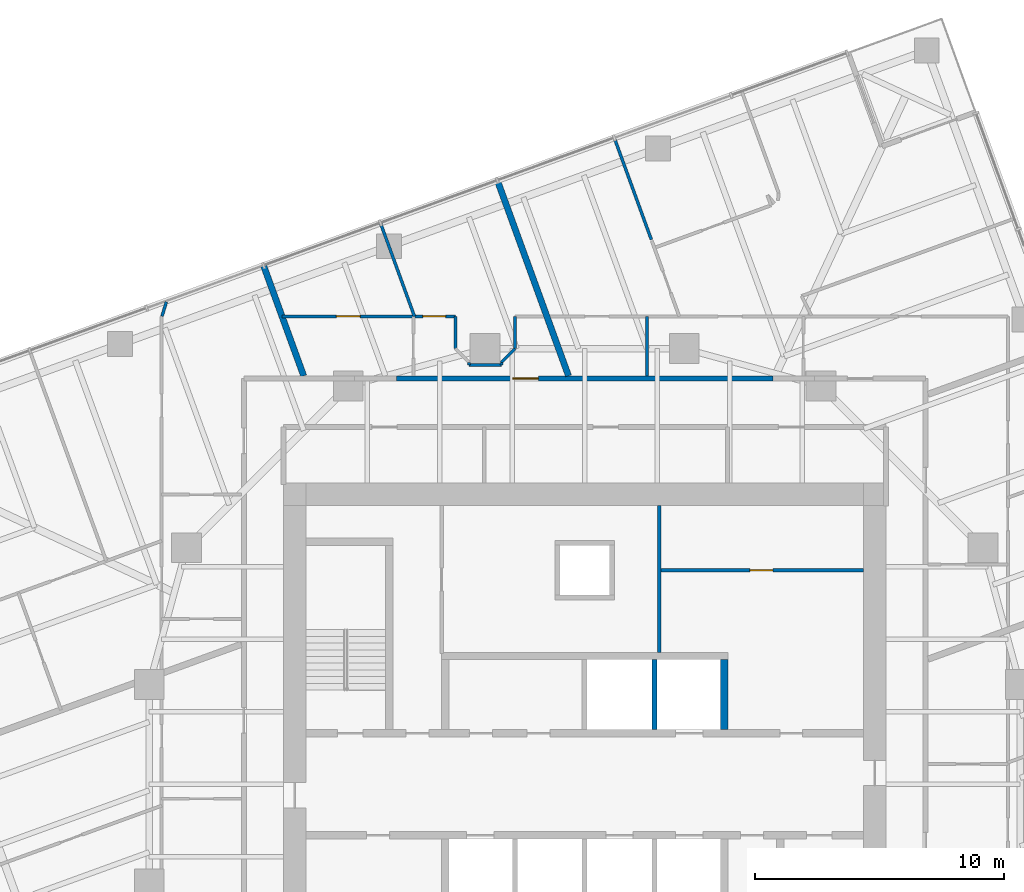
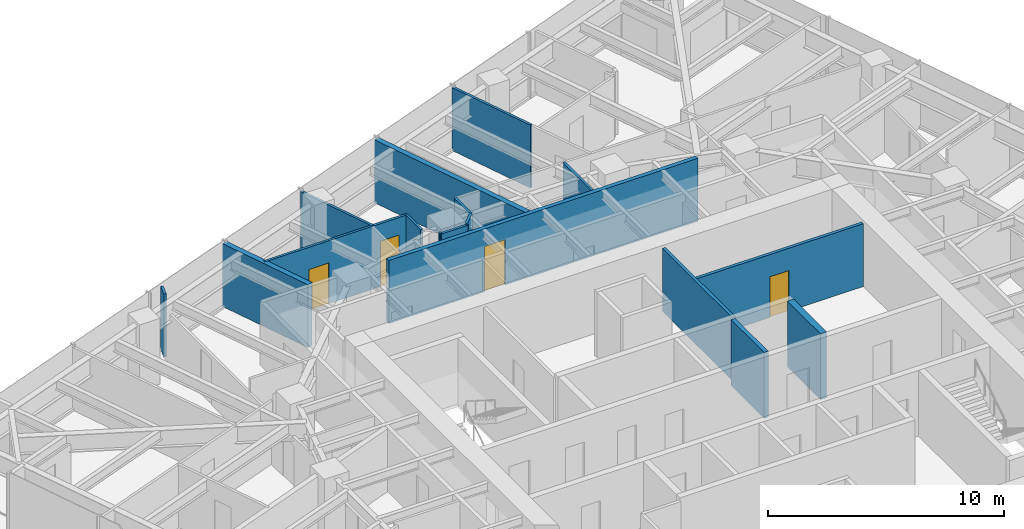
# One storey, part 11 of 13: 18 walls, 4 doors, 4 openings.
"""IFC4 building model written with IfcOpenShell, lengths in metres."""

from ifc_helpers import new_model, si_unit, direction, frame, frame_2d, origin, place, context, subcontext, project, spatial, rectangle, extrude, material, layer, layer_set, type_object, element, fill, save


model = new_model("IFC4")

# Units and contexts
model_context = context("Model", 3, precision=1e-05, world=origin(), true_north=direction((0.0, 1.0)))
body_context = subcontext(model_context, "Body", "Model", "MODEL_VIEW")
ifc_project = project(units=[si_unit("LENGTHUNIT", "METRE"), si_unit("AREAUNIT", "SQUARE_METRE"), si_unit("VOLUMEUNIT", "CUBIC_METRE"), si_unit("PLANEANGLEUNIT", "RADIAN"), si_unit("MASSUNIT", "GRAM", prefix="KILO")], contexts=[model_context])

# Site, building, storey
site_placement = place(None, origin())
site = spatial("IfcSite", under=ifc_project, at=site_placement, CompositionType="ELEMENT")
building_placement = place(site_placement, origin())
building = spatial("IfcBuilding", under=site, at=building_placement, Name="Torsade Residences", CompositionType="ELEMENT")
storey_placement = place(building_placement, frame((0.0, 0.0, 143.800048828125)))
storey = spatial("IfcBuildingStorey", under=building, at=storey_placement, Name="L39", CompositionType="ELEMENT", Elevation=143.800048828125)

# Wall
ifc_material_1 = material(Name="Concrete 80 MPa", Category="concrete")
ifc_layer_1 = layer(ifc_material_1, 0.300048828125)
ifc_layer_set_1 = layer_set([ifc_layer_1], Name="Concrete 80 MPa")
wall_type_1 = type_object("IfcWallType", Name="CORE INTERNAL WALL 300", PredefinedType="SHEAR", material=ifc_layer_set_1)
wall_1_placement = place(storey_placement, frame((45.60009765625, 32.199951171875, 0.0), z_axis=(0.0, 0.0, 1.0), x_axis=(0.0, 1.0, 0.0)))
element("IfcWall", 1, at=wall_1_placement, inside=storey, type_object=wall_type_1, Name="Core wall DN4 L39", PredefinedType="SHEAR", context=body_context, shape_type="SweptSolid", body=[
    extrude(rectangle(XDim=2.800048828125, YDim=0.300048828125, at=frame_2d((1.39990234375, 0.0))), origin(), (0.0, 0.0, 1.0), 3.39990234375),
])

# Wall, opening, door
ifc_material_2 = material(Name="Plasterboard on steel stud", Category="steel")
ifc_layer_2 = layer(ifc_material_2, 0.199951171875)
ifc_layer_set_2 = layer_set([ifc_layer_2], Name="Plasterboard on steel stud")
wall_type_2 = type_object("IfcWallType", Name="CORRIDOR WALL 200", PredefinedType="PARTITIONING", material=ifc_layer_set_2)
wall_2_placement = place(storey_placement, frame((47.558349609375, 46.300048828125, 0.0), z_axis=(0.0, 0.0, 1.0), x_axis=(-1.0, 0.0, 0.0)))
wall_2 = element("IfcWall", 2, at=wall_2_placement, inside=storey, type_object=wall_type_2, Name="Corridor wall L39", PredefinedType="PARTITIONING", context=body_context, shape_type="SweptSolid", body=[
    extrude(rectangle(XDim=15.11669921875, YDim=0.199951171875, at=frame_2d((7.558349609375, 0.0))), origin(), (0.0, 0.0, 1.0), 3.25),
])
opening_1_placement = place(wall_2_placement, frame((9.42236328125, 0.0, 0.0)))
opening_1 = element("IfcOpeningElement", 3, at=opening_1_placement, cuts=wall_2, Name="Opening D01", PredefinedType="OPENING", context=body_context, shape_type="SweptSolid", body=[
    extrude(rectangle(XDim=1.02001953125, YDim=2.340087890625, at=frame_2d((0.510009765625, 1.169921875))), frame((0.0, 0.10986328125, 0.0), z_axis=(0.0, -1.0, 0.0), x_axis=(1.0, 0.0, 0.0)), (0.0, 0.0, 1.0), 0.219970703125),
])
ifc_material_3 = material(Name="Solid-core timber fire door", Category="wood")
door_type_1 = type_object("IfcDoorType", Name="APARTMENT ENTRY DOOR 1020x2340", OperationType="NOTDEFINED", PredefinedType="DOOR", material=ifc_material_3)
door_1_placement = place(opening_1_placement, origin())
door_1 = element("IfcDoor", 4, at=door_1_placement, inside=storey, type_object=door_type_1, Name="Door Residential corridor to Kitchen and dining", OperationType="SINGLE_SWING_RIGHT", OverallHeight=2.340087890625, OverallWidth=1.02001953125, PredefinedType="DOOR", context=body_context, shape_type="SweptSolid", body=[
    extrude(rectangle(XDim=1.02001953125, YDim=2.340087890625, at=frame_2d((0.510009765625, 1.169921875))), frame((0.0, 0.02490234375, 0.0), z_axis=(0.0, -1.0, 0.0), x_axis=(1.0, 0.0, 0.0)), (0.0, 0.0, 1.0), 0.050048828125),
])
fill(opening_1, door_1)

# Walls
ifc_material_4 = material(Name="Reinforced blockwork", Category="masonry")
ifc_layer_3 = layer(ifc_material_4, 0.199951171875)
ifc_layer_set_3 = layer_set([ifc_layer_3], Name="Reinforced blockwork")
wall_type_3 = type_object("IfcWallType", Name="LIFT SHAFT DIVIDING WALL 200", PredefinedType="SOLIDWALL", material=ifc_layer_set_3)
wall_3_placement = place(storey_placement, frame((42.800048828125, 32.199951171875, 0.0), z_axis=(0.0, 0.0, 1.0), x_axis=(0.0, 1.0, 0.0)))
element("IfcWall", 5, at=wall_3_placement, inside=storey, type_object=wall_type_3, Name="Core wall DN3 L39", PredefinedType="SOLIDWALL", context=body_context, shape_type="SweptSolid", body=[
    extrude(rectangle(XDim=2.800048828125, YDim=0.199951171875, at=frame_2d((1.39990234375, 0.0))), origin(), (0.0, 0.0, 1.0), 3.39990234375),
])
ifc_material_5 = material(Name="Plasterboard on steel stud", Category="steel")
ifc_layer_4 = layer(ifc_material_5, 0.1201171875)
ifc_layer_set_4 = layer_set([ifc_layer_4], Name="Plasterboard on steel stud")
wall_type_4 = type_object("IfcWallType", Name="PARTITION 120", PredefinedType="PARTITIONING", material=ifc_layer_set_4)
wall_4_placement = place(storey_placement, frame((42.501220703125, 46.39990234375, 0.0), z_axis=(0.0, 0.0, 1.0), x_axis=(0.0, 1.0, 0.0)))
element("IfcWall", 6, at=wall_4_placement, inside=storey, type_object=wall_type_4, Name="Partition L39", PredefinedType="PARTITIONING", context=body_context, shape_type="SweptSolid", body=[
    extrude(rectangle(XDim=2.400146484375, YDim=0.1201171875, at=frame_2d((1.2001953125, 0.0))), origin(), (0.0, 0.0, 1.0), 3.25),
])
wall_5_placement = place(storey_placement, frame((41.2021484375, 55.935302734375, 0.0), z_axis=(0.0, 0.0, 1.0), x_axis=(0.341992887332, -0.939702540709, 0.0)))
element("IfcWall", 7, at=wall_5_placement, inside=storey, type_object=wall_type_4, Name="Partition L39", PredefinedType="PARTITIONING", context=body_context, shape_type="SweptSolid", body=[
    extrude(rectangle(XDim=4.3154296875, YDim=0.1201171875, at=frame_2d((2.15771484375, 0.0))), origin(), (0.0, 0.0, 1.0), 3.25),
])

# Wall, openings, doors
wall_6_placement = place(storey_placement, frame((27.83642578125, 48.800048828125, 0.0), z_axis=(0.0, 0.0, 1.0), x_axis=(1.0, 0.0, 0.0)))
wall_6 = element("IfcWall", 8, at=wall_6_placement, inside=storey, type_object=wall_type_4, Name="Partition L39", PredefinedType="PARTITIONING", context=body_context, shape_type="SweptSolid", body=[
    extrude(rectangle(XDim=6.963623046875, YDim=0.1201171875, at=frame_2d((3.48193359375, 0.0))), origin(), (0.0, 0.0, 1.0), 3.25),
])
opening_2_placement = place(wall_6_placement, frame((5.6591796875, 0.0, 0.0)))
opening_2 = element("IfcOpeningElement", 9, at=opening_2_placement, cuts=wall_6, Name="Opening D02", PredefinedType="OPENING", context=body_context, shape_type="SweptSolid", body=[
    extrude(rectangle(XDim=0.919921875, YDim=2.340087890625, at=frame_2d((0.4599609375, 1.169921875))), frame((0.0, 0.070068359375, 0.0), z_axis=(0.0, -1.0, 0.0), x_axis=(1.0, 0.0, 0.0)), (0.0, 0.0, 1.0), 0.14013671875),
])
opening_3_placement = place(wall_6_placement, frame((2.180419921875, 0.0, 0.0)))
opening_3 = element("IfcOpeningElement", 10, at=opening_3_placement, cuts=wall_6, Name="Opening D05", PredefinedType="OPENING", context=body_context, shape_type="SweptSolid", body=[
    extrude(rectangle(XDim=0.9599609375, YDim=2.10009765625, at=frame_2d((0.47998046875, 1.050048828125))), frame((0.0, 0.070068359375, 0.0), z_axis=(0.0, -1.0, 0.0), x_axis=(1.0, 0.0, 0.0)), (0.0, 0.0, 1.0), 0.14013671875),
])
ifc_material_6 = material(Name="Hollow-core timber door in a steel cavity frame", Category="steel")
door_type_2 = type_object("IfcDoorType", Name="BATHROOM CAVITY SLIDING DOOR 960", OperationType="SLIDING_TO_LEFT", PredefinedType="DOOR", material=ifc_material_6)
door_2_placement = place(opening_3_placement, origin())
door_2 = element("IfcDoor", 11, at=door_2_placement, inside=storey, type_object=door_type_2, Name="Door Bathroom to Bedroom 1", OperationType="SLIDING_TO_LEFT", OverallHeight=2.10009765625, OverallWidth=0.9599609375, PredefinedType="DOOR", context=body_context, shape_type="SweptSolid", body=[
    extrude(rectangle(XDim=0.9599609375, YDim=2.10009765625, at=frame_2d((0.47998046875, 1.050048828125))), frame((0.0, 0.02490234375, 0.0), z_axis=(0.0, -1.0, 0.0), x_axis=(1.0, 0.0, 0.0)), (0.0, 0.0, 1.0), 0.050048828125),
])
fill(opening_3, door_2)
ifc_material_7 = material(Name="Hollow-core timber door", Category="wood")
door_type_3 = type_object("IfcDoorType", Name="INTERNAL DOOR 920x2340", OperationType="NOTDEFINED", PredefinedType="DOOR", material=ifc_material_7)
door_3_placement = place(opening_2_placement, origin())
door_3 = element("IfcDoor", 12, at=door_3_placement, inside=storey, type_object=door_type_3, Name="Door Kitchen and dining to Living room", OperationType="SINGLE_SWING_LEFT", OverallHeight=2.340087890625, OverallWidth=0.919921875, PredefinedType="DOOR", context=body_context, shape_type="SweptSolid", body=[
    extrude(rectangle(XDim=0.919921875, YDim=2.340087890625, at=frame_2d((0.4599609375, 1.169921875))), frame((0.0, 0.02490234375, 0.0), z_axis=(0.0, -1.0, 0.0), x_axis=(1.0, 0.0, 0.0)), (0.0, 0.0, 1.0), 0.050048828125),
])
fill(opening_2, door_3)

# Walls
wall_7_placement = place(storey_placement, frame((34.800048828125, 48.800048828125, 0.0), z_axis=(0.0, 0.0, 1.0), x_axis=(0.0, -1.0, 0.0)))
element("IfcWall", 13, at=wall_7_placement, inside=storey, type_object=wall_type_4, Name="Partition L39", PredefinedType="PARTITIONING", context=body_context, shape_type="SweptSolid", body=[
    extrude(rectangle(XDim=1.300048828125, YDim=0.1201171875, at=frame_2d((0.64990234375, 0.0))), origin(), (0.0, 0.0, 1.0), 3.25),
])
wall_8_placement = place(storey_placement, frame((35.35009765625, 46.85009765625, 0.0), z_axis=(0.0, 0.0, 1.0), x_axis=(1.0, 0.0, 0.0)))
element("IfcWall", 14, at=wall_8_placement, inside=storey, type_object=wall_type_4, Name="Partition L39", PredefinedType="PARTITIONING", context=body_context, shape_type="SweptSolid", body=[
    extrude(rectangle(XDim=1.2998046875, YDim=0.1201171875, at=frame_2d((0.64990234375, 0.0))), origin(), (0.0, 0.0, 1.0), 3.25),
])
wall_9_placement = place(storey_placement, frame((36.64990234375, 46.949951171875, 0.0), z_axis=(0.0, 0.0, 1.0), x_axis=(0.707106781187, 0.707106781187, 0.0)))
element("IfcWall", 15, at=wall_9_placement, inside=storey, type_object=wall_type_4, Name="Partition L39", PredefinedType="PARTITIONING", context=body_context, shape_type="SweptSolid", body=[
    extrude(rectangle(XDim=0.77783203125, YDim=0.1201171875, at=frame_2d((0.388916015625, 0.0))), origin(), (0.0, 0.0, 1.0), 3.25),
])
wall_10_placement = place(storey_placement, frame((37.199951171875, 47.5, 0.0), z_axis=(0.0, 0.0, 1.0), x_axis=(0.0, 1.0, 0.0)))
element("IfcWall", 16, at=wall_10_placement, inside=storey, type_object=wall_type_4, Name="Partition L39", PredefinedType="PARTITIONING", context=body_context, shape_type="SweptSolid", body=[
    extrude(rectangle(XDim=1.300048828125, YDim=0.1201171875, at=frame_2d((0.64990234375, 0.0))), origin(), (0.0, 0.0, 1.0), 3.25),
])
wall_11_placement = place(storey_placement, frame((33.1572265625, 48.800048828125, 0.0), z_axis=(0.0, 0.0, 1.0), x_axis=(-0.341990966768, 0.939703239672, 0.0)))
element("IfcWall", 17, at=wall_11_placement, inside=storey, type_object=wall_type_4, Name="Partition L39", PredefinedType="PARTITIONING", context=body_context, shape_type="SweptSolid", body=[
    extrude(rectangle(XDim=3.953369140625, YDim=0.1201171875, at=frame_2d((1.9765625, 0.0))), origin(), (0.0, 0.0, 1.0), 3.25),
])
wall_12_placement = place(storey_placement, frame((23.013427734375, 48.800048828125, 0.0), z_axis=(0.0, 0.0, 1.0), x_axis=(0.290455219909, 0.956888585588, 0.0)))
element("IfcWall", 18, at=wall_12_placement, inside=storey, type_object=wall_type_4, Name="Partition L39", PredefinedType="PARTITIONING", context=body_context, shape_type="SweptSolid", body=[
    extrude(rectangle(XDim=0.605224609375, YDim=0.1201171875, at=frame_2d((0.302734375, 0.0))), origin(), (0.0, 0.0, 1.0), 3.25),
])
for number, where, z_axis, x_axis, name in (
    (19, (35.35009765625, 46.85009765625, 0.0), (0.0, 0.0, 1.0), (0.0, 1.0, 0.0), "Partition L39"),
    (20, (36.64990234375, 46.85009765625, 0.0), (0.0, 0.0, 1.0), (0.0, 1.0, 0.0), "Partition L39"),
):
    element("IfcWall", number, at=place(storey_placement, frame(where, z_axis=z_axis, x_axis=x_axis)), inside=storey, type_object=wall_type_4, Name=name, PredefinedType="PARTITIONING", context=body_context, shape_type="SweptSolid", body=[
        extrude(rectangle(XDim=0.099853515625, YDim=0.1201171875, at=frame_2d((0.0498046875, 0.0))), origin(), (0.0, 0.0, 1.0), 3.25),
    ])
ifc_material_8 = material(Name="Masonry-lined stud party wall", Category="masonry")
ifc_layer_5 = layer(ifc_material_8, 0.25)
ifc_layer_set_5 = layer_set([ifc_layer_5], Name="Masonry-lined stud party wall")
wall_type_5 = type_object("IfcWallType", Name="PARTY WALL 250", PredefinedType="PARTITIONING", material=ifc_layer_set_5)
wall_13_placement = place(storey_placement, frame((36.489990234375, 54.2626953125, 0.0), z_axis=(0.0, 0.0, 1.0), x_axis=(0.342019678743, -0.93969278988, 0.0)))
element("IfcWall", 21, at=wall_13_placement, inside=storey, type_object=wall_type_5, Name="Party wall L39", PredefinedType="PARTITIONING", context=body_context, shape_type="SweptSolid", body=[
    extrude(rectangle(XDim=8.361572265625, YDim=0.25, at=frame_2d((4.1806640625, 0.0))), origin(), (0.0, 0.0, 1.0), 3.25),
])
wall_14_placement = place(storey_placement, frame((27.093017578125, 50.842529296875, 0.0), z_axis=(0.0, 0.0, 1.0), x_axis=(0.342012883883, -0.939695262975, 0.0)))
element("IfcWall", 22, at=wall_14_placement, inside=storey, type_object=wall_type_5, Name="Party wall L39", PredefinedType="PARTITIONING", context=body_context, shape_type="SweptSolid", body=[
    extrude(rectangle(XDim=4.721923828125, YDim=0.25, at=frame_2d((2.36083984375, 0.0))), origin(), (0.0, 0.0, 1.0), 3.25),
])
ifc_material_9 = material(Name="Reinforced blockwork", Category="masonry")
ifc_layer_6 = layer(ifc_material_9, 0.14990234375)
ifc_layer_set_6 = layer_set([ifc_layer_6], Name="Reinforced blockwork")
wall_type_6 = type_object("IfcWallType", Name="SERVICE ROOM WALL 150", PredefinedType="SOLIDWALL", material=ifc_layer_set_6)
wall_15_placement = place(storey_placement, frame((43.0, 41.199951171875, 0.0), z_axis=(0.0, 0.0, 1.0), x_axis=(0.0, -1.0, 0.0)))
element("IfcWall", 23, at=wall_15_placement, inside=storey, type_object=wall_type_6, Name="Service room wall L39", PredefinedType="SOLIDWALL", context=body_context, shape_type="SweptSolid", body=[
    extrude(rectangle(XDim=5.89990234375, YDim=0.14990234375, at=frame_2d((2.949951171875, 0.0))), origin(), (0.0, 0.0, 1.0), 3.25),
])

# Wall, opening, door
wall_16_placement = place(storey_placement, frame((43.0, 38.60009765625, 0.0), z_axis=(0.0, 0.0, 1.0), x_axis=(1.0, 0.0, 0.0)))
wall_16 = element("IfcWall", 24, at=wall_16_placement, inside=storey, type_object=wall_type_6, Name="Service room wall L39", PredefinedType="SOLIDWALL", context=body_context, shape_type="SweptSolid", body=[
    extrude(rectangle(XDim=8.199951171875, YDim=0.14990234375, at=frame_2d((4.10009765625, 0.0))), origin(), (0.0, 0.0, 1.0), 3.25),
])
opening_4_placement = place(wall_16_placement, frame((3.639892578125, 0.0, 0.0)))
opening_4 = element("IfcOpeningElement", 25, at=opening_4_placement, cuts=wall_16, Name="Opening D06", PredefinedType="OPENING", context=body_context, shape_type="SweptSolid", body=[
    extrude(rectangle(XDim=0.919921875, YDim=2.10009765625, at=frame_2d((0.4599609375, 1.050048828125))), frame((0.0, 0.0849609375, 0.0), z_axis=(0.0, -1.0, 0.0), x_axis=(1.0, 0.0, 0.0)), (0.0, 0.0, 1.0), 0.169921875),
])
ifc_material_10 = material(Name="Steel-framed fire door", Category="steel")
door_type_4 = type_object("IfcDoorType", Name="FIRE DOOR 920", OperationType="NOTDEFINED", PredefinedType="DOOR", material=ifc_material_10)
door_4_placement = place(opening_4_placement, origin())
door_4 = element("IfcDoor", 26, at=door_4_placement, inside=storey, type_object=door_type_4, Name="Door Refuse room to Bulky waste store", OperationType="SINGLE_SWING_RIGHT", OverallHeight=2.10009765625, OverallWidth=0.919921875, PredefinedType="DOOR", context=body_context, shape_type="SweptSolid", body=[
    extrude(rectangle(XDim=0.919921875, YDim=2.10009765625, at=frame_2d((0.4599609375, 1.050048828125))), frame((0.0, 0.02490234375, 0.0), z_axis=(0.0, -1.0, 0.0), x_axis=(1.0, 0.0, 0.0)), (0.0, 0.0, 1.0), 0.050048828125),
])
fill(opening_4, door_4)

save(model, "model.ifc")
